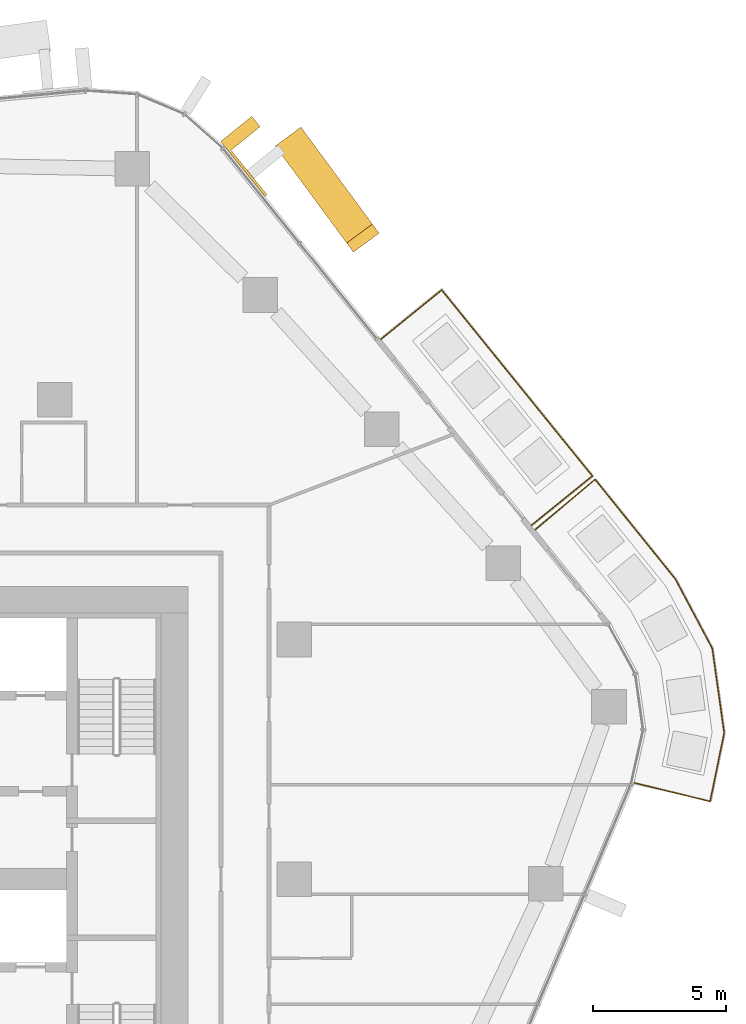
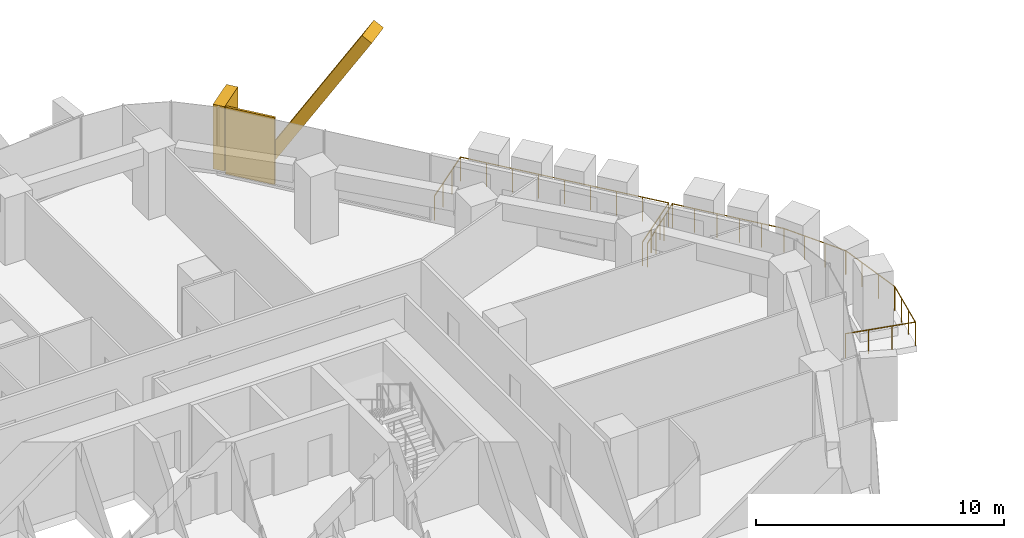
# One storey, part 23 of 23: 3 coverings, 2 railings, 1 element without a shape of its own.
"""IFC4 building model written with IfcOpenShell, lengths in metres."""

from ifc_helpers import new_model, si_unit, direction, frame, origin, origin_2d, place, context, subcontext, project, spatial, rectangle, circle, extrude, material, layer, layer_set, material_profile, profile_set, type_object, element, aggregate, save


model = new_model("IFC4")

# Units and contexts
model_context = context("Model", 3, precision=1e-05, world=origin(), true_north=direction((0.0, 1.0)))
body_context = subcontext(model_context, "Body", "Model", "MODEL_VIEW")
ifc_project = project(units=[si_unit("LENGTHUNIT", "METRE"), si_unit("AREAUNIT", "SQUARE_METRE"), si_unit("VOLUMEUNIT", "CUBIC_METRE"), si_unit("PLANEANGLEUNIT", "RADIAN"), si_unit("MASSUNIT", "GRAM", prefix="KILO")], contexts=[model_context])

# Site, building, storey
site_placement = place(None, origin())
site = spatial("IfcSite", under=ifc_project, at=site_placement, CompositionType="ELEMENT")
building_placement = place(site_placement, origin())
building = spatial("IfcBuilding", under=site, at=building_placement, Name="Dongbaek Canopy Tower", CompositionType="ELEMENT")
storey_placement = place(building_placement, frame((0.0, 0.0, 121.10009765625)))
storey = spatial("IfcBuildingStorey", under=building, at=storey_placement, Name="L26", CompositionType="ELEMENT", Elevation=121.10009765625)

# Railings
ifc_material_1 = material(Name="Stainless steel", Category="steel")
railing_type = type_object("IfcRailingType", Name="Balcony balustrade 1200", PredefinedType="BALUSTRADE", material=ifc_material_1)
railing_1_placement = place(storey_placement, frame((26.90087890625, 13.290283203125, 0.0)))
element("IfcRailing", 1, at=railing_1_placement, inside=storey, type_object=railing_type, Name="Balcony guard L26 1", PredefinedType="BALUSTRADE", context=body_context, shape_type="SweptSolid", body=[
    extrude(circle(Radius=0.02392578125, at=origin_2d()), frame((0.0, 0.0, 1.17578125), z_axis=(0.777177182416, 0.629281834421, 0.0), x_axis=(-0.629281834421, 0.777177182416, 0.0)), (0.0, 0.0, 1.0), 2.93994140625),
    extrude(circle(Radius=0.02392578125, at=origin_2d()), frame((2.284912109375, 1.85009765625, 1.17578125), z_axis=(-0.629313122645, 0.777151847239, 0.0), x_axis=(-0.777151847239, -0.629313122645, 0.0)), (0.0, 0.0, 1.0), 8.9853515625),
    extrude(circle(Radius=0.02392578125, at=origin_2d()), frame((-3.36962890625, 8.8330078125, 1.17578125), z_axis=(-0.777144295509, -0.629322448319, 0.0), x_axis=(0.629322448319, -0.777144295509, 0.0)), (0.0, 0.0, 1.0), 2.93994140625),
    extrude(circle(Radius=0.02099609375, at=origin_2d()), origin(), (0.0, 0.0, 1.0), 1.15185546875),
    extrude(circle(Radius=0.02099609375, at=origin_2d()), frame((0.76171875, 0.61669921875, 0.0)), (0.0, 0.0, 1.0), 1.15185546875),
    extrude(circle(Radius=0.02099609375, at=origin_2d()), frame((1.523193359375, 1.2333984375, 0.0)), (0.0, 0.0, 1.0), 1.15185546875),
    extrude(circle(Radius=0.02099609375, at=origin_2d()), frame((2.284912109375, 1.85009765625, 0.0)), (0.0, 0.0, 1.0), 1.15185546875),
    extrude(circle(Radius=0.02099609375, at=origin_2d()), frame((1.578125, 2.722900390625, 0.0)), (0.0, 0.0, 1.0), 1.15185546875),
    extrude(circle(Radius=0.02099609375, at=origin_2d()), frame((0.871337890625, 3.595703125, 0.0)), (0.0, 0.0, 1.0), 1.15185546875),
    extrude(circle(Radius=0.02099609375, at=origin_2d()), frame((0.16455078125, 4.46875, 0.0)), (0.0, 0.0, 1.0), 1.15185546875),
    extrude(circle(Radius=0.02099609375, at=origin_2d()), frame((-0.54248046875, 5.341552734375, 0.0)), (0.0, 0.0, 1.0), 1.15185546875),
    extrude(circle(Radius=0.02099609375, at=origin_2d()), frame((-1.249267578125, 6.21435546875, 0.0)), (0.0, 0.0, 1.0), 1.15185546875),
    extrude(circle(Radius=0.02099609375, at=origin_2d()), frame((-1.9560546875, 7.08740234375, 0.0)), (0.0, 0.0, 1.0), 1.15185546875),
    extrude(circle(Radius=0.02099609375, at=origin_2d()), frame((-2.662841796875, 7.960205078125, 0.0)), (0.0, 0.0, 1.0), 1.15185546875),
    extrude(circle(Radius=0.02099609375, at=origin_2d()), frame((-3.36962890625, 8.8330078125, 0.0)), (0.0, 0.0, 1.0), 1.15185546875),
    extrude(circle(Radius=0.02099609375, at=origin_2d()), frame((-4.131103515625, 8.21630859375, 0.0)), (0.0, 0.0, 1.0), 1.15185546875),
    extrude(circle(Radius=0.02099609375, at=origin_2d()), frame((-4.892822265625, 7.599609375, 0.0)), (0.0, 0.0, 1.0), 1.15185546875),
    extrude(circle(Radius=0.02099609375, at=origin_2d()), frame((-5.654296875, 6.98291015625, 0.0)), (0.0, 0.0, 1.0), 1.15185546875),
])
railing_2_placement = place(storey_placement, frame((30.753173828125, 3.62158203125, 0.0)))
element("IfcRailing", 2, at=railing_2_placement, inside=storey, type_object=railing_type, Name="Balcony guard L26 5", PredefinedType="BALUSTRADE", context=body_context, shape_type="SweptSolid", body=[
    extrude(circle(Radius=0.02392578125, at=origin_2d()), frame((0.0, 0.0, 1.17578125), z_axis=(0.971217005072, -0.238196408578, 0.0), x_axis=(0.238196408578, 0.971217005072, 0.0)), (0.0, 0.0, 1.0), 2.940673828125),
    extrude(circle(Radius=0.02392578125, at=origin_2d()), frame((2.85595703125, -0.700439453125, 1.17578125), z_axis=(0.200724629093, 0.979647703655, 0.0), x_axis=(-0.979647703655, 0.200724629093, 0.0)), (0.0, 0.0, 1.0), 2.627197265625),
    extrude(circle(Radius=0.02392578125, at=origin_2d()), frame((3.38330078125, 1.873291015625, 1.17578125), z_axis=(-0.139756876028, 0.990185849022, 0.0), x_axis=(-0.990185849022, -0.139756876028, 0.0)), (0.0, 0.0, 1.0), 3.203857421875),
    extrude(circle(Radius=0.02392578125, at=origin_2d()), frame((2.935546875, 5.045654296875, 1.17578125), z_axis=(-0.46915320331, 0.883116793988, 0.0), x_axis=(-0.883116793988, -0.46915320331, 0.0)), (0.0, 0.0, 1.0), 2.941650390625),
    extrude(circle(Radius=0.02392578125, at=origin_2d()), frame((1.555419921875, 7.6435546875, 1.17578125), z_axis=(-0.627404670047, 0.778693379966, 0.0), x_axis=(-0.778693379966, -0.627404670047, 0.0)), (0.0, 0.0, 1.0), 4.81689453125),
    extrude(circle(Radius=0.02392578125, at=origin_2d()), frame((-1.466796875, 11.39453125, 1.17578125), z_axis=(-0.764163591734, -0.645022484157, 0.0), x_axis=(0.645022484157, -0.764163591734, 0.0)), (0.0, 0.0, 1.0), 2.940673828125),
    extrude(circle(Radius=0.02099609375, at=origin_2d()), origin(), (0.0, 0.0, 1.0), 1.15185546875),
    extrude(circle(Radius=0.02099609375, at=origin_2d()), frame((0.951904296875, -0.2333984375, 0.0)), (0.0, 0.0, 1.0), 1.15185546875),
    extrude(circle(Radius=0.02099609375, at=origin_2d()), frame((1.904052734375, -0.467041015625, 0.0)), (0.0, 0.0, 1.0), 1.15185546875),
    extrude(circle(Radius=0.02099609375, at=origin_2d()), frame((2.85595703125, -0.700439453125, 0.0)), (0.0, 0.0, 1.0), 1.15185546875),
    extrude(circle(Radius=0.02099609375, at=origin_2d()), frame((3.03173828125, 0.157470703125, 0.0)), (0.0, 0.0, 1.0), 1.15185546875),
    extrude(circle(Radius=0.02099609375, at=origin_2d()), frame((3.20751953125, 1.015380859375, 0.0)), (0.0, 0.0, 1.0), 1.15185546875),
    extrude(circle(Radius=0.02099609375, at=origin_2d()), frame((3.38330078125, 1.873291015625, 0.0)), (0.0, 0.0, 1.0), 1.15185546875),
    extrude(circle(Radius=0.02099609375, at=origin_2d()), frame((3.234130859375, 2.9306640625, 0.0)), (0.0, 0.0, 1.0), 1.15185546875),
    extrude(circle(Radius=0.02099609375, at=origin_2d()), frame((3.084716796875, 3.98828125, 0.0)), (0.0, 0.0, 1.0), 1.15185546875),
    extrude(circle(Radius=0.02099609375, at=origin_2d()), frame((2.935546875, 5.045654296875, 0.0)), (0.0, 0.0, 1.0), 1.15185546875),
    extrude(circle(Radius=0.02099609375, at=origin_2d()), frame((2.4755859375, 5.91162109375, 0.0)), (0.0, 0.0, 1.0), 1.15185546875),
    extrude(circle(Radius=0.02099609375, at=origin_2d()), frame((2.015380859375, 6.777587890625, 0.0)), (0.0, 0.0, 1.0), 1.15185546875),
    extrude(circle(Radius=0.02099609375, at=origin_2d()), frame((1.555419921875, 7.6435546875, 0.0)), (0.0, 0.0, 1.0), 1.15185546875),
    extrude(circle(Radius=0.02099609375, at=origin_2d()), frame((0.950927734375, 8.393798828125, 0.0)), (0.0, 0.0, 1.0), 1.15185546875),
    extrude(circle(Radius=0.02099609375, at=origin_2d()), frame((0.346435546875, 9.14404296875, 0.0)), (0.0, 0.0, 1.0), 1.15185546875),
    extrude(circle(Radius=0.02099609375, at=origin_2d()), frame((-0.2578125, 9.89404296875, 0.0)), (0.0, 0.0, 1.0), 1.15185546875),
    extrude(circle(Radius=0.02099609375, at=origin_2d()), frame((-0.8623046875, 10.644287109375, 0.0)), (0.0, 0.0, 1.0), 1.15185546875),
    extrude(circle(Radius=0.02099609375, at=origin_2d()), frame((-1.466796875, 11.39453125, 0.0)), (0.0, 0.0, 1.0), 1.15185546875),
    extrude(circle(Radius=0.02099609375, at=origin_2d()), frame((-2.2158203125, 10.76220703125, 0.0)), (0.0, 0.0, 1.0), 1.15185546875),
    extrude(circle(Radius=0.02099609375, at=origin_2d()), frame((-2.96484375, 10.130126953125, 0.0)), (0.0, 0.0, 1.0), 1.15185546875),
    extrude(circle(Radius=0.02099609375, at=origin_2d()), frame((-3.7138671875, 9.497802734375, 0.0)), (0.0, 0.0, 1.0), 1.15185546875),
])

# Curtain wall, coverings
ifc_material_2 = material(Name="Aluminium 6063-T6 pale anodised", Category="aluminium")
ifc_layer_1 = layer(ifc_material_2, 0.199951171875)
ifc_layer_set_1 = layer_set([ifc_layer_1], Name="CW-1 unitised tower curtain wall")
curtain_wall_type = type_object("IfcCurtainWallType", Name="CW-1 unitised tower curtain wall", PredefinedType="NOTDEFINED", material=ifc_layer_set_1)
curtain_wall_placement = place(storey_placement, origin())
curtain_wall = element("IfcCurtainWall", 3, at=curtain_wall_placement, inside=storey, type_object=curtain_wall_type, Name="CW-1 curtain wall F0.1", PredefinedType="NOTDEFINED")
ifc_material_3 = material(Name="Aluminium 6063-T6 pale metal fin", Category="aluminium")
ifc_material_profile_1 = material_profile(ifc_material_3, rectangle(XDim=1.199951171875, YDim=0.5, at=origin_2d()), Name="Crease fin CF1 500 x 1200 pale metal")
ifc_profile_set_1 = profile_set([ifc_material_profile_1], Name="Aluminium 6063-T6 pale metal fin")
covering_type_1 = type_object("IfcCoveringType", Name="Crease fin CF1 500 x 1200 pale metal", PredefinedType="CLADDING", material=ifc_profile_set_1)
covering_1_placement = place(storey_placement, frame((17.88916015625, 27.712890625, -0.2001953125), z_axis=(0.309450810212, -0.419769897379, 0.853248749963), x_axis=(0.80492150136, 0.59338130797, 0.0)))
covering_1 = element("IfcCovering", 4, at=covering_1_placement, type_object=covering_type_1, Name="Crease fin L26 L28 F0", PredefinedType="CLADDING", context=body_context, shape_type="SweptSolid", body=[
    extrude(rectangle(XDim=1.199951171875, YDim=0.5, at=origin_2d()), origin(), (0.0, 0.0, 1.0), 8.6728515625),
])
ifc_material_4 = material(Name="Perforated aluminium 6063-T6 pale metal screen", Category="aluminium")
ifc_layer_2 = layer(ifc_material_4, 0.10009765625)
ifc_layer_set_2 = layer_set([ifc_layer_2], Name="Facet screen FS1 100 pale metal")
covering_type_2 = type_object("IfcCoveringType", Name="Facet screen FS1 100 pale metal", PredefinedType="CLADDING", material=ifc_layer_set_2)
covering_2_placement = place(storey_placement, frame((16.27294921875, 26.488525390625, 0.0), z_axis=(0.0, 0.0, 1.0), x_axis=(-0.629301401604, 0.777161338423, 0.0)))
covering_2 = element("IfcCovering", 5, at=covering_2_placement, type_object=covering_type_2, Name="Facet screen L26 F0", PredefinedType="CLADDING", context=body_context, shape_type="SweptSolid", body=[
    extrude(rectangle(XDim=2.11328125, YDim=0.10009765625, at=origin_2d()), origin(), (0.0, 0.0, 1.0), 3.300048828125),
])
ifc_material_5 = material(Name="Aluminium 6063-T6 pale metal fin", Category="aluminium")
ifc_material_profile_2 = material_profile(ifc_material_5, rectangle(XDim=1.5, YDim=0.5, at=origin_2d()), Name="Fin FN1 500 x 1500 pale metal")
ifc_profile_set_2 = profile_set([ifc_material_profile_2], Name="Aluminium 6063-T6 pale metal fin")
covering_type_3 = type_object("IfcCoveringType", Name="Fin FN1 500 x 1500 pale metal", PredefinedType="CLADDING", material=ifc_profile_set_2)
covering_3_placement = place(storey_placement, frame((15.97265625, 27.97802734375, 0.119873046875), z_axis=(0.0, 0.0, 1.0), x_axis=(0.777161000453, 0.629301818982, 0.0)))
covering_3 = element("IfcCovering", 6, at=covering_3_placement, type_object=covering_type_3, Name="Fin F0.1.3", PredefinedType="CLADDING", context=body_context, shape_type="SweptSolid", body=[
    extrude(rectangle(XDim=1.5, YDim=0.5, at=origin_2d()), origin(), (0.0, 0.0, 1.0), 3.179931640625),
])
aggregate(curtain_wall, [covering_3, covering_1, covering_2])

save(model, "model.ifc")
